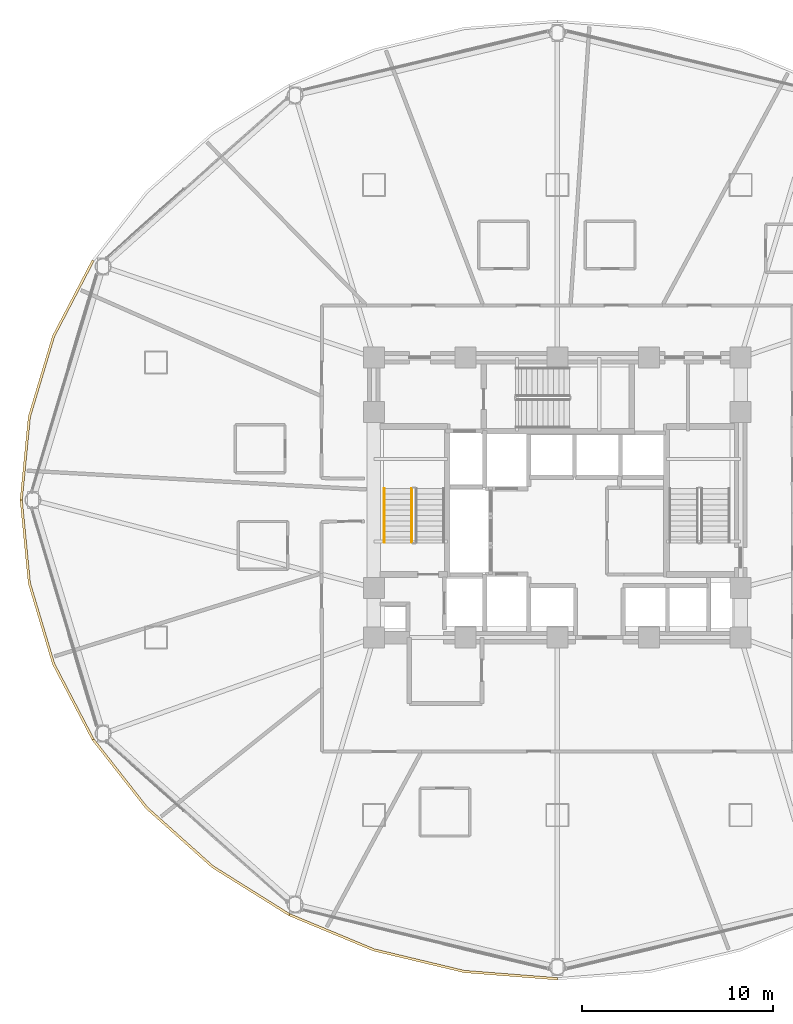
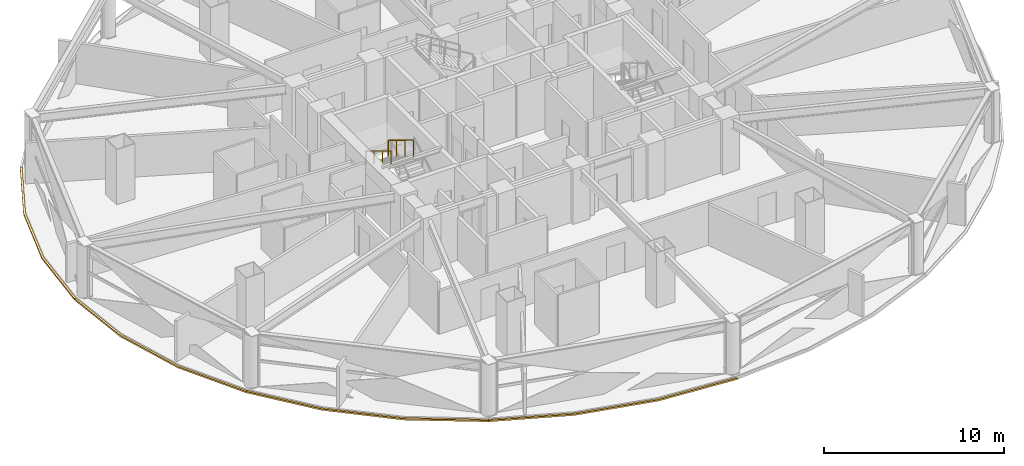
# One storey, part 25 of 29: 4 coverings, 2 railings.
"""IFC4 building model written with IfcOpenShell, lengths in metres."""

from ifc_helpers import new_model, si_unit, direction, frame, origin, origin_2d, place, context, subcontext, project, spatial, polyline, rectangle, outline, extrude, material, layer, layer_set, type_object, element, save


model = new_model("IFC4")

# Units and contexts
model_context = context("Model", 3, precision=1e-05, world=origin(), true_north=direction((0.0, 1.0)))
body_context = subcontext(model_context, "Body", "Model", "MODEL_VIEW")
ifc_project = project(units=[si_unit("LENGTHUNIT", "METRE"), si_unit("AREAUNIT", "SQUARE_METRE"), si_unit("VOLUMEUNIT", "CUBIC_METRE"), si_unit("PLANEANGLEUNIT", "RADIAN"), si_unit("MASSUNIT", "GRAM", prefix="KILO")], contexts=[model_context])

# Site, building, storey
site_placement = place(None, origin())
site = spatial("IfcSite", under=ifc_project, at=site_placement, CompositionType="ELEMENT")
building_placement = place(site_placement, origin())
building = spatial("IfcBuilding", under=site, at=building_placement, Name="Vantalir Tower", CompositionType="ELEMENT")
storey_placement = place(building_placement, frame((0.0, 0.0, 60.75)))
storey = spatial("IfcBuildingStorey", under=building, at=storey_placement, Name="L14", CompositionType="ELEMENT", Elevation=60.75)

# Coverings
ifc_material_1 = material(Name="Anodised champagne aluminium sill fascia", Category="aluminium")
ifc_layer = layer(ifc_material_1, 0.125)
ifc_layer_set = layer_set([ifc_layer], Name="Anodised champagne aluminium sill fascia")
covering_type = type_object("IfcCoveringType", Name="COV-SLAB-FASCIA-125", PredefinedType="CLADDING", material=ifc_layer_set)
covering_1_placement = place(storey_placement, frame((0.0, 0.0, -0.179931640625)))
element("IfcCovering", 1, at=covering_1_placement, inside=storey, type_object=covering_type, Name="L14 Perimeter Slab-Edge Sill Fascia 06", PredefinedType="CLADDING", context=body_context, shape_type="SweptSolid", body=[
    extrude(outline(polyline([(7.14208984375, 37.56298828125), (5.070068359375, 33.593994140625), (3.801025390625, 29.363037109375), (3.3740234375, 25.0), (3.4990234375, 25.0), (3.924072265625, 29.341064453125), (5.18798828125, 33.551025390625), (7.25, 37.5), (7.14208984375, 37.56298828125)])), origin(), (0.0, 0.0, 1.0), 0.10498046875),
])
covering_2_placement = place(storey_placement, frame((0.0, 0.0, -0.179931640625)))
element("IfcCovering", 2, at=covering_2_placement, inside=storey, type_object=covering_type, Name="L14 Perimeter Slab-Edge Sill Fascia 07", PredefinedType="CLADDING", context=body_context, shape_type="SweptSolid", body=[
    extrude(outline(polyline([(3.3740234375, 25.0), (3.801025390625, 20.636962890625), (5.070068359375, 16.406005859375), (7.14208984375, 12.43701171875), (7.25, 12.4990234375), (5.18798828125, 16.448974609375), (3.924072265625, 20.658935546875), (3.4990234375, 25.0), (3.3740234375, 25.0)])), origin(), (0.0, 0.0, 1.0), 0.10498046875),
])
covering_3_placement = place(storey_placement, frame((0.0, 0.0, -0.179931640625)))
element("IfcCovering", 3, at=covering_3_placement, inside=storey, type_object=covering_type, Name="L14 Perimeter Slab-Edge Sill Fascia 08", PredefinedType="CLADDING", context=body_context, shape_type="SweptSolid", body=[
    extrude(outline(polyline([(7.14208984375, 12.43701171875), (9.9541015625, 8.84912109375), (13.4208984375, 5.751953125), (17.43701171875, 3.239990234375), (17.4990234375, 3.347900390625), (13.5009765625, 5.847900390625), (10.050048828125, 8.929931640625), (7.25, 12.4990234375), (7.14208984375, 12.43701171875)])), origin(), (0.0, 0.0, 1.0), 0.10498046875),
])
covering_4_placement = place(storey_placement, frame((0.0, 0.0, -0.179931640625)))
element("IfcCovering", 4, at=covering_4_placement, inside=storey, type_object=covering_type, Name="L14 Perimeter Slab-Edge Sill Fascia 09", PredefinedType="CLADDING", context=body_context, shape_type="SweptSolid", body=[
    extrude(outline(polyline([(17.43701171875, 3.239990234375), (21.8798828125, 1.388916015625), (26.615966796875, 0.256103515625), (31.5, -0.1259765625), (31.5, -0.0009765625), (26.637939453125, 0.37890625), (21.923095703125, 1.507080078125), (17.4990234375, 3.347900390625), (17.43701171875, 3.239990234375)])), origin(), (0.0, 0.0, 1.0), 0.10498046875),
])

# Railings
ifc_material_2 = material(Name="Anodised aluminium and stainless steel guard", Category="steel")
railing_type_1 = type_object("IfcRailingType", Name="RAL-GUARD-1120", PredefinedType="GUARDRAIL", material=ifc_material_2)
railing_1_placement = place(storey_placement, frame((23.889892578125, 25.590087890625, 2.04541015625)))
element("IfcRailing", 5, at=railing_1_placement, inside=storey, type_object=railing_type_1, Name="L14 ST1 stair guard 3", PredefinedType="GUARDRAIL", context=body_context, shape_type="SweptSolid", body=[
    extrude(rectangle(XDim=0.048095703125, YDim=0.048095703125, at=origin_2d()), frame((0.0, 0.0, 1.09619140625), z_axis=(0.0, -0.854169791009, 0.51999420009), x_axis=(1.0, 0.0, 0.0)), (0.0, 0.0, 1.0), 3.278076171875),
    extrude(rectangle(XDim=0.0419921875, YDim=0.0419921875, at=origin_2d()), origin(), (0.0, 0.0, 1.0), 1.072021484375),
    extrude(rectangle(XDim=0.0419921875, YDim=0.0419921875, at=origin_2d()), frame((0.0, -0.933349609375, 0.568115234375)), (0.0, 0.0, 1.0), 1.072021484375),
    extrude(rectangle(XDim=0.0419921875, YDim=0.0419921875, at=origin_2d()), frame((0.0, -1.86669921875, 1.136474609375)), (0.0, 0.0, 1.0), 1.072021484375),
    extrude(rectangle(XDim=0.0419921875, YDim=0.0419921875, at=origin_2d()), frame((0.0, -2.800048828125, 1.70458984375)), (0.0, 0.0, 1.0), 1.072021484375),
])
ifc_material_3 = material(Name="Brushed stainless steel tubular handrail", Category="steel")
railing_type_2 = type_object("IfcRailingType", Name="RAL-HANDRAIL-900", PredefinedType="HANDRAIL", material=ifc_material_3)
railing_2_placement = place(storey_placement, frame((22.449951171875, 25.590087890625, 2.04541015625)))
element("IfcRailing", 6, at=railing_2_placement, inside=storey, type_object=railing_type_2, Name="L14 ST1 stair handrail 2", PredefinedType="HANDRAIL", context=body_context, shape_type="SweptSolid", body=[
    extrude(rectangle(XDim=0.048095703125, YDim=0.048095703125, at=origin_2d()), frame((0.0, 0.0, 0.8759765625), z_axis=(0.0, -0.854169791009, 0.51999420009), x_axis=(1.0, 0.0, 0.0)), (0.0, 0.0, 1.0), 3.278076171875),
    extrude(rectangle(XDim=0.0419921875, YDim=0.0419921875, at=origin_2d()), origin(), (0.0, 0.0, 1.0), 0.851806640625),
    extrude(rectangle(XDim=0.0419921875, YDim=0.0419921875, at=origin_2d()), frame((0.0, -0.933349609375, 0.568115234375)), (0.0, 0.0, 1.0), 0.851806640625),
    extrude(rectangle(XDim=0.0419921875, YDim=0.0419921875, at=origin_2d()), frame((0.0, -1.86669921875, 1.136474609375)), (0.0, 0.0, 1.0), 0.851806640625),
    extrude(rectangle(XDim=0.0419921875, YDim=0.0419921875, at=origin_2d()), frame((0.0, -2.800048828125, 1.70458984375)), (0.0, 0.0, 1.0), 0.851806640625),
])

save(model, "model.ifc")
